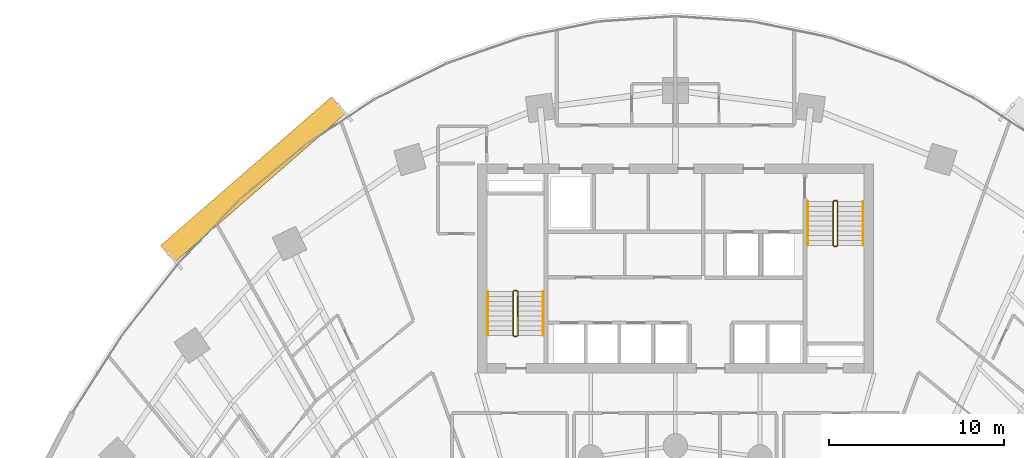
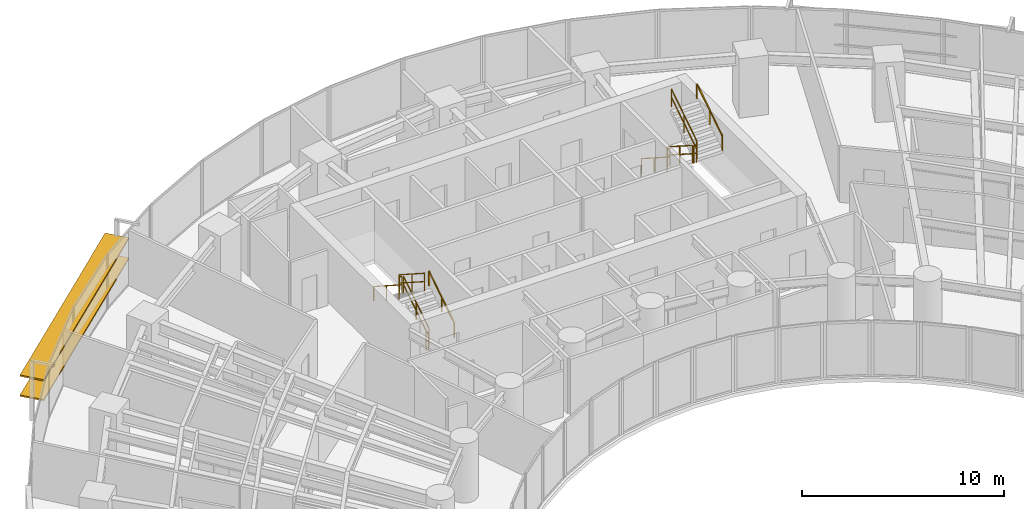
# One storey, part 16 of 17: 12 railings, 2 shading devices.
"""IFC4 building model written with IfcOpenShell, lengths in metres."""

from ifc_helpers import new_model, si_unit, direction, frame, origin, origin_2d, place, context, subcontext, project, spatial, rectangle, extrude, source, transform, mapped, material, material_profile, profile_set, type_object, type_shapes, element, save


model = new_model("IFC4")

# Units and contexts
model_context = context("Model", 3, precision=1e-05, world=origin(), true_north=direction((0.0, 1.0)))
body_context = subcontext(model_context, "Body", "Model", "MODEL_VIEW")
ifc_project = project(units=[si_unit("LENGTHUNIT", "METRE"), si_unit("AREAUNIT", "SQUARE_METRE"), si_unit("VOLUMEUNIT", "CUBIC_METRE"), si_unit("PLANEANGLEUNIT", "RADIAN"), si_unit("MASSUNIT", "GRAM", prefix="KILO")], contexts=[model_context])

# Site, building, storey
site_placement = place(None, origin())
site = spatial("IfcSite", under=ifc_project, at=site_placement, CompositionType="ELEMENT")
building_placement = place(site_placement, origin())
building = spatial("IfcBuilding", under=site, at=building_placement, Name="Breltana Convention Tower", CompositionType="ELEMENT")
storey_placement = place(building_placement, frame((0.0, 0.0, 46.199951171875)))
storey = spatial("IfcBuildingStorey", under=building, at=storey_placement, Name="L09", CompositionType="ELEMENT", Elevation=46.199951171875)

# Railings
ifc_material_1 = material(Name="Steel S275 Painted", Category="steel")
railing_type_1 = type_object("IfcRailingType", Name="RL-STAIR-GUARD-1100", PredefinedType="GUARDRAIL", material=ifc_material_1)
railing_1_placement = place(storey_placement, frame((38.9599609375, 62.360107421875, 0.179931640625)))
element("IfcRailing", 1, at=railing_1_placement, inside=storey, type_object=railing_type_1, Name="L09 ST-1 stair guard 1", PredefinedType="GUARDRAIL", context=body_context, shape_type="SweptSolid", body=[
    extrude(rectangle(XDim=0.048095703125, YDim=0.048095703125, at=origin_2d()), frame((0.0, 0.0, 1.076171875), z_axis=(0.0, 0.841138753965, 0.540819375188), x_axis=(-1.0, 0.0, 0.0)), (0.0, 0.0, 1.0), 2.99560546875),
    extrude(rectangle(XDim=0.048095703125, YDim=0.048095703125, at=origin_2d()), frame((0.0, 0.0, 0.572021484375), z_axis=(0.0, 0.841138753965, 0.540819375188), x_axis=(-1.0, 0.0, 0.0)), (0.0, 0.0, 1.0), 2.99560546875),
    extrude(rectangle(XDim=0.0419921875, YDim=0.0419921875, at=origin_2d()), origin(), (0.0, 0.0, 1.0), 1.052001953125),
    extrude(rectangle(XDim=0.0419921875, YDim=0.0419921875, at=origin_2d()), frame((0.0, 1.259765625, 0.81005859375)), (0.0, 0.0, 1.0), 1.052001953125),
    extrude(rectangle(XDim=0.0419921875, YDim=0.0419921875, at=origin_2d()), frame((0.0, 2.519775390625, 1.6201171875)), (0.0, 0.0, 1.0), 1.052001953125),
])
railing_2_placement = place(storey_placement, frame((38.909912109375, 64.929931640625, 1.800048828125)))
element("IfcRailing", 2, at=railing_2_placement, inside=storey, type_object=railing_type_1, Name="L09 ST-1 stair guard 2", PredefinedType="GUARDRAIL", context=body_context, shape_type="SweptSolid", body=[
    extrude(rectangle(XDim=0.048095703125, YDim=0.048095703125, at=origin_2d()), frame((0.0, 0.0, 1.076171875), z_axis=(-1.0, 0.0, 0.0), x_axis=(0.0, -1.0, 0.0)), (0.0, 0.0, 1.0), 0.14990234375),
    extrude(rectangle(XDim=0.048095703125, YDim=0.048095703125, at=origin_2d()), frame((0.0, 0.0, 0.572021484375), z_axis=(-1.0, 0.0, 0.0), x_axis=(0.0, -1.0, 0.0)), (0.0, 0.0, 1.0), 0.14990234375),
    extrude(rectangle(XDim=0.0419921875, YDim=0.0419921875, at=origin_2d()), origin(), (0.0, 0.0, 1.0), 1.052001953125),
    extrude(rectangle(XDim=0.0419921875, YDim=0.0419921875, at=origin_2d()), frame((-0.14990234375, 0.0, 0.0)), (0.0, 0.0, 1.0), 1.052001953125),
])
railing_3_placement = place(storey_placement, frame((38.7099609375, 64.8798828125, 1.97998046875)))
element("IfcRailing", 3, at=railing_3_placement, inside=storey, type_object=railing_type_1, Name="L09 ST-1 stair guard 3", PredefinedType="GUARDRAIL", context=body_context, shape_type="SweptSolid", body=[
    extrude(rectangle(XDim=0.048095703125, YDim=0.048095703125, at=origin_2d()), frame((0.0, 0.0, 1.076171875), z_axis=(0.0, -0.841138753965, 0.540819375188), x_axis=(1.0, 0.0, 0.0)), (0.0, 0.0, 1.0), 2.99560546875),
    extrude(rectangle(XDim=0.048095703125, YDim=0.048095703125, at=origin_2d()), frame((0.0, 0.0, 0.572021484375), z_axis=(0.0, -0.841138753965, 0.540819375188), x_axis=(1.0, 0.0, 0.0)), (0.0, 0.0, 1.0), 2.99560546875),
    extrude(rectangle(XDim=0.0419921875, YDim=0.0419921875, at=origin_2d()), origin(), (0.0, 0.0, 1.0), 1.052001953125),
    extrude(rectangle(XDim=0.0419921875, YDim=0.0419921875, at=origin_2d()), frame((0.0, -1.259765625, 0.81005859375)), (0.0, 0.0, 1.0), 1.052001953125),
    extrude(rectangle(XDim=0.0419921875, YDim=0.0419921875, at=origin_2d()), frame((0.0, -2.519775390625, 1.6201171875)), (0.0, 0.0, 1.0), 1.052001953125),
])
railing_4_placement = place(storey_placement, frame((38.909912109375, 62.31005859375, 0.0)))
element("IfcRailing", 4, at=railing_4_placement, inside=storey, type_object=railing_type_1, Name="L09 ST-1 stair guard 4", PredefinedType="GUARDRAIL", context=body_context, shape_type="SweptSolid", body=[
    extrude(rectangle(XDim=0.048095703125, YDim=0.048095703125, at=origin_2d()), frame((0.0, 0.0, 1.076171875), z_axis=(-1.0, 0.0, 0.0), x_axis=(0.0, -1.0, 0.0)), (0.0, 0.0, 1.0), 0.14990234375),
    extrude(rectangle(XDim=0.048095703125, YDim=0.048095703125, at=origin_2d()), frame((0.0, 0.0, 0.572021484375), z_axis=(-1.0, 0.0, 0.0), x_axis=(0.0, -1.0, 0.0)), (0.0, 0.0, 1.0), 0.14990234375),
    extrude(rectangle(XDim=0.0419921875, YDim=0.0419921875, at=origin_2d()), origin(), (0.0, 0.0, 1.0), 1.052001953125),
    extrude(rectangle(XDim=0.0419921875, YDim=0.0419921875, at=origin_2d()), frame((-0.14990234375, 0.0, 0.0)), (0.0, 0.0, 1.0), 1.052001953125),
])
railing_5_placement = place(storey_placement, frame((57.0400390625, 70.0400390625, 0.179931640625)))
element("IfcRailing", 5, at=railing_5_placement, inside=storey, type_object=railing_type_1, Name="L09 ST-2 stair guard 1", PredefinedType="GUARDRAIL", context=body_context, shape_type="SweptSolid", body=[
    extrude(rectangle(XDim=0.048095703125, YDim=0.048095703125, at=origin_2d()), frame((0.0, 0.0, 1.076171875), z_axis=(0.0, -0.841162588446, 0.540782303519), x_axis=(1.0, 0.0, 0.0)), (0.0, 0.0, 1.0), 2.995849609375),
    extrude(rectangle(XDim=0.048095703125, YDim=0.048095703125, at=origin_2d()), frame((0.0, 0.0, 0.572021484375), z_axis=(0.0, -0.841162588446, 0.540782303519), x_axis=(1.0, 0.0, 0.0)), (0.0, 0.0, 1.0), 2.995849609375),
    extrude(rectangle(XDim=0.0419921875, YDim=0.0419921875, at=origin_2d()), origin(), (0.0, 0.0, 1.0), 1.052001953125),
    extrude(rectangle(XDim=0.0419921875, YDim=0.0419921875, at=origin_2d()), frame((0.0, -1.260009765625, 0.81005859375)), (0.0, 0.0, 1.0), 1.052001953125),
    extrude(rectangle(XDim=0.0419921875, YDim=0.0419921875, at=origin_2d()), frame((0.0, -2.52001953125, 1.6201171875)), (0.0, 0.0, 1.0), 1.052001953125),
])
railing_6_placement = place(storey_placement, frame((57.090087890625, 67.469970703125, 1.800048828125)))
element("IfcRailing", 6, at=railing_6_placement, inside=storey, type_object=railing_type_1, Name="L09 ST-2 stair guard 2", PredefinedType="GUARDRAIL", context=body_context, shape_type="SweptSolid", body=[
    extrude(rectangle(XDim=0.048095703125, YDim=0.048095703125, at=origin_2d()), frame((0.0, 0.0, 1.076171875), z_axis=(1.0, 0.0, 0.0), x_axis=(0.0, 1.0, 0.0)), (0.0, 0.0, 1.0), 0.14990234375),
    extrude(rectangle(XDim=0.048095703125, YDim=0.048095703125, at=origin_2d()), frame((0.0, 0.0, 0.572021484375), z_axis=(1.0, 0.0, 0.0), x_axis=(0.0, 1.0, 0.0)), (0.0, 0.0, 1.0), 0.14990234375),
    extrude(rectangle(XDim=0.0419921875, YDim=0.0419921875, at=origin_2d()), origin(), (0.0, 0.0, 1.0), 1.052001953125),
    extrude(rectangle(XDim=0.0419921875, YDim=0.0419921875, at=origin_2d()), frame((0.14990234375, 0.0, 0.0)), (0.0, 0.0, 1.0), 1.052001953125),
])
railing_7_placement = place(storey_placement, frame((57.2900390625, 67.52001953125, 1.97998046875)))
element("IfcRailing", 7, at=railing_7_placement, inside=storey, type_object=railing_type_1, Name="L09 ST-2 stair guard 3", PredefinedType="GUARDRAIL", context=body_context, shape_type="SweptSolid", body=[
    extrude(rectangle(XDim=0.048095703125, YDim=0.048095703125, at=origin_2d()), frame((0.0, 0.0, 1.076171875), z_axis=(0.0, 0.841162588446, 0.540782303519), x_axis=(-1.0, 0.0, 0.0)), (0.0, 0.0, 1.0), 2.995849609375),
    extrude(rectangle(XDim=0.048095703125, YDim=0.048095703125, at=origin_2d()), frame((0.0, 0.0, 0.572021484375), z_axis=(0.0, 0.841162588446, 0.540782303519), x_axis=(-1.0, 0.0, 0.0)), (0.0, 0.0, 1.0), 2.995849609375),
    extrude(rectangle(XDim=0.0419921875, YDim=0.0419921875, at=origin_2d()), origin(), (0.0, 0.0, 1.0), 1.052001953125),
    extrude(rectangle(XDim=0.0419921875, YDim=0.0419921875, at=origin_2d()), frame((0.0, 1.260009765625, 0.81005859375)), (0.0, 0.0, 1.0), 1.052001953125),
    extrude(rectangle(XDim=0.0419921875, YDim=0.0419921875, at=origin_2d()), frame((0.0, 2.52001953125, 1.6201171875)), (0.0, 0.0, 1.0), 1.052001953125),
])
railing_8_placement = place(storey_placement, frame((57.090087890625, 70.090087890625, 0.0)))
element("IfcRailing", 8, at=railing_8_placement, inside=storey, type_object=railing_type_1, Name="L09 ST-2 stair guard 4", PredefinedType="GUARDRAIL", context=body_context, shape_type="SweptSolid", body=[
    extrude(rectangle(XDim=0.048095703125, YDim=0.048095703125, at=origin_2d()), frame((0.0, 0.0, 1.076171875), z_axis=(1.0, 0.0, 0.0), x_axis=(0.0, 1.0, 0.0)), (0.0, 0.0, 1.0), 0.14990234375),
    extrude(rectangle(XDim=0.048095703125, YDim=0.048095703125, at=origin_2d()), frame((0.0, 0.0, 0.572021484375), z_axis=(1.0, 0.0, 0.0), x_axis=(0.0, 1.0, 0.0)), (0.0, 0.0, 1.0), 0.14990234375),
    extrude(rectangle(XDim=0.0419921875, YDim=0.0419921875, at=origin_2d()), origin(), (0.0, 0.0, 1.0), 1.052001953125),
    extrude(rectangle(XDim=0.0419921875, YDim=0.0419921875, at=origin_2d()), frame((0.14990234375, 0.0, 0.0)), (0.0, 0.0, 1.0), 1.052001953125),
])
ifc_material_2 = material(Name="Stainless Steel 316L", Category="steel")
railing_type_2 = type_object("IfcRailingType", Name="RL-STAIR-HANDRAIL-900", PredefinedType="HANDRAIL", material=ifc_material_2)
railing_9_placement = place(storey_placement, frame((40.419921875, 62.360107421875, 0.179931640625)))
element("IfcRailing", 9, at=railing_9_placement, inside=storey, type_object=railing_type_2, Name="L09 ST-1 stair handrail 1", PredefinedType="HANDRAIL", context=body_context, shape_type="SweptSolid", body=[
    extrude(rectangle(XDim=0.048095703125, YDim=0.048095703125, at=origin_2d()), frame((0.0, 0.0, 0.8759765625), z_axis=(0.0, 0.841138753965, 0.540819375188), x_axis=(-1.0, 0.0, 0.0)), (0.0, 0.0, 1.0), 2.99560546875),
    extrude(rectangle(XDim=0.0419921875, YDim=0.0419921875, at=origin_2d()), origin(), (0.0, 0.0, 1.0), 0.851806640625),
    extrude(rectangle(XDim=0.0419921875, YDim=0.0419921875, at=origin_2d()), frame((0.0, 1.259765625, 0.81005859375)), (0.0, 0.0, 1.0), 0.851806640625),
    extrude(rectangle(XDim=0.0419921875, YDim=0.0419921875, at=origin_2d()), frame((0.0, 2.519775390625, 1.6201171875)), (0.0, 0.0, 1.0), 0.851806640625),
])
railing_10_placement = place(storey_placement, frame((37.25, 64.8798828125, 1.97998046875)))
element("IfcRailing", 10, at=railing_10_placement, inside=storey, type_object=railing_type_2, Name="L09 ST-1 stair handrail 2", PredefinedType="HANDRAIL", context=body_context, shape_type="SweptSolid", body=[
    extrude(rectangle(XDim=0.048095703125, YDim=0.048095703125, at=origin_2d()), frame((0.0, 0.0, 0.8759765625), z_axis=(0.0, -0.841138753965, 0.540819375188), x_axis=(1.0, 0.0, 0.0)), (0.0, 0.0, 1.0), 2.99560546875),
    extrude(rectangle(XDim=0.0419921875, YDim=0.0419921875, at=origin_2d()), origin(), (0.0, 0.0, 1.0), 0.851806640625),
    extrude(rectangle(XDim=0.0419921875, YDim=0.0419921875, at=origin_2d()), frame((0.0, -1.259765625, 0.81005859375)), (0.0, 0.0, 1.0), 0.851806640625),
    extrude(rectangle(XDim=0.0419921875, YDim=0.0419921875, at=origin_2d()), frame((0.0, -2.519775390625, 1.6201171875)), (0.0, 0.0, 1.0), 0.851806640625),
])
railing_11_placement = place(storey_placement, frame((55.580078125, 70.0400390625, 0.179931640625)))
element("IfcRailing", 11, at=railing_11_placement, inside=storey, type_object=railing_type_2, Name="L09 ST-2 stair handrail 1", PredefinedType="HANDRAIL", context=body_context, shape_type="SweptSolid", body=[
    extrude(rectangle(XDim=0.048095703125, YDim=0.048095703125, at=origin_2d()), frame((0.0, 0.0, 0.8759765625), z_axis=(0.0, -0.841162588446, 0.540782303519), x_axis=(1.0, 0.0, 0.0)), (0.0, 0.0, 1.0), 2.995849609375),
    extrude(rectangle(XDim=0.0419921875, YDim=0.0419921875, at=origin_2d()), origin(), (0.0, 0.0, 1.0), 0.851806640625),
    extrude(rectangle(XDim=0.0419921875, YDim=0.0419921875, at=origin_2d()), frame((0.0, -1.260009765625, 0.81005859375)), (0.0, 0.0, 1.0), 0.851806640625),
    extrude(rectangle(XDim=0.0419921875, YDim=0.0419921875, at=origin_2d()), frame((0.0, -2.52001953125, 1.6201171875)), (0.0, 0.0, 1.0), 0.851806640625),
])
railing_12_placement = place(storey_placement, frame((58.75, 67.52001953125, 1.97998046875)))
element("IfcRailing", 12, at=railing_12_placement, inside=storey, type_object=railing_type_2, Name="L09 ST-2 stair handrail 2", PredefinedType="HANDRAIL", context=body_context, shape_type="SweptSolid", body=[
    extrude(rectangle(XDim=0.048095703125, YDim=0.048095703125, at=origin_2d()), frame((0.0, 0.0, 0.8759765625), z_axis=(0.0, 0.841162588446, 0.540782303519), x_axis=(-1.0, 0.0, 0.0)), (0.0, 0.0, 1.0), 2.995849609375),
    extrude(rectangle(XDim=0.0419921875, YDim=0.0419921875, at=origin_2d()), origin(), (0.0, 0.0, 1.0), 0.851806640625),
    extrude(rectangle(XDim=0.0419921875, YDim=0.0419921875, at=origin_2d()), frame((0.0, 1.260009765625, 0.81005859375)), (0.0, 0.0, 1.0), 0.851806640625),
    extrude(rectangle(XDim=0.0419921875, YDim=0.0419921875, at=origin_2d()), frame((0.0, 2.52001953125, 1.6201171875)), (0.0, 0.0, 1.0), 0.851806640625),
])

# Shading devices
ifc_material_3 = material(Name="Limestone Warm Buff Honed", Category="masonry")
ifc_material_profile = material_profile(ifc_material_3, rectangle(XDim=1.25, YDim=0.090087890625, at=origin_2d()), Name="STN-LVR-1250X90")
ifc_profile_set = profile_set([ifc_material_profile], Name="Limestone Warm Buff Honed")
shading_device_type = type_object("IfcShadingDeviceType", Name="SHD-OUTER-SKIN-LIMESTONE-1250", PredefinedType="JALOUSIE", material=ifc_profile_set)
shared_shape = source(origin(), body_context, "Body", "SweptSolid", [
    extrude(rectangle(XDim=1.25, YDim=0.090087890625, at=origin_2d()), origin(), (0.0, 0.0, 1.0), 12.99462890625),
])
type_shapes(shading_device_type, [shared_shape])
for number, where, z_axis, x_axis, name in (
    (13, (18.9130859375, 67.039794921875, 1.209716796875), (0.754353477941, 0.656468453407, 0.0), (-0.656468453407, 0.754353477941, 0.0), "L09 outer skin warm limestone louvre 1.1"),
    (14, (18.9130859375, 67.039794921875, 2.419189453125), (0.754353477941, 0.656468453407, 0.0), (-0.656468453407, 0.754353477941, 0.0), "L09 outer skin warm limestone louvre 1.2"),
):
    element("IfcShadingDevice", number, at=place(storey_placement, frame(where, z_axis=z_axis, x_axis=x_axis)), inside=storey, type_object=shading_device_type, Name=name, PredefinedType="JALOUSIE", context=body_context, shape_type="MappedRepresentation", body=[
        mapped(shared_shape, transform((0.0, 0.0, 0.0), scale=1.0)),
    ])

save(model, "model.ifc")
